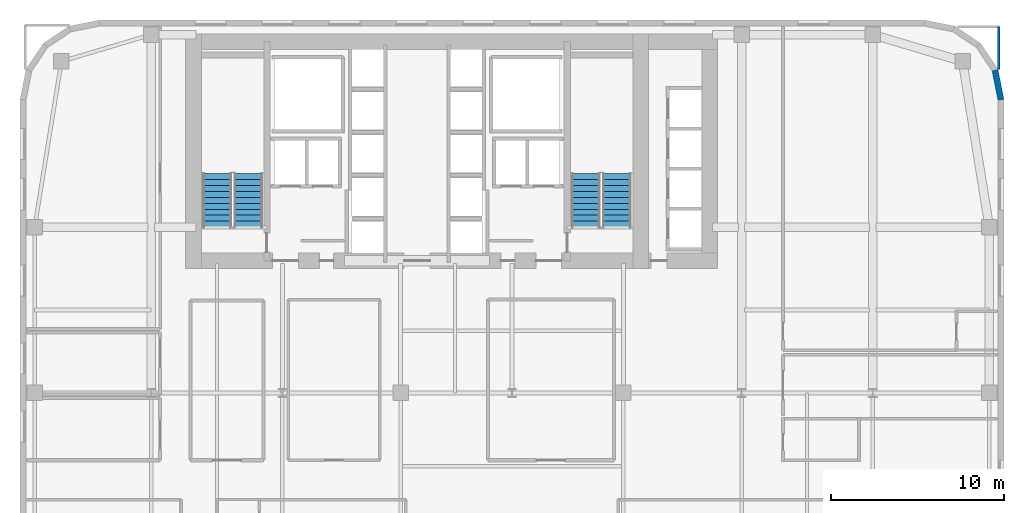
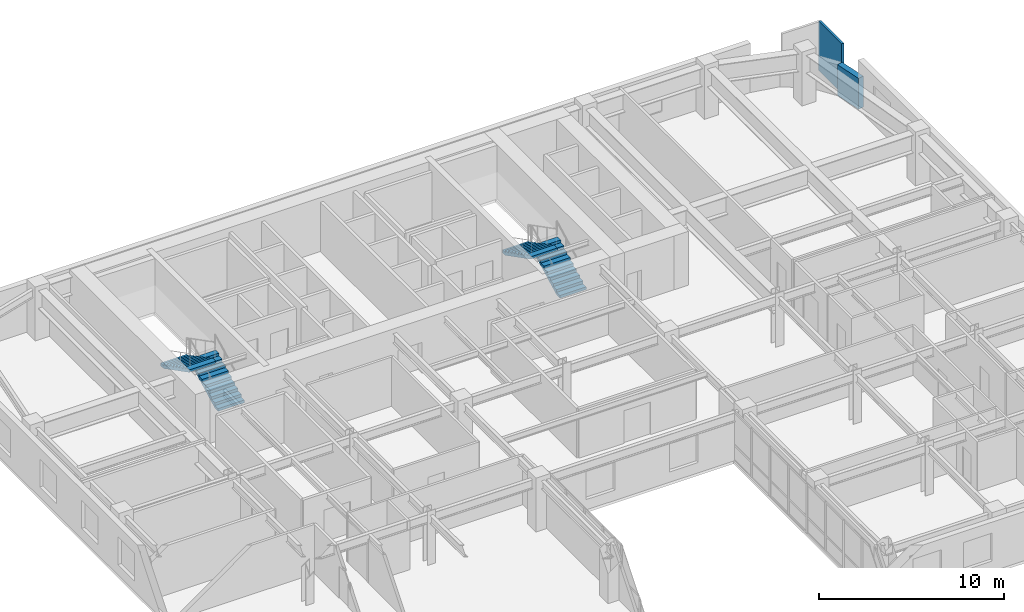
# One storey, part 15 of 16: 4 stair flights, 2 walls, 2 elements without a shape of their own.
"""IFC4 building model written with IfcOpenShell, lengths in metres."""

import ifcopenshell
import ifcopenshell.guid

model = None  # the IFC model being written
_history = None  # IfcOwnerHistory: only IFC2X3 demands one
_inside = {}  # id of a spatial element -> (the spatial element, [elements in it])
_under = {}  # id of a project, library or spatial element -> (it, [spatial elements below it])
_declared = {}  # id of a project -> (the project, [libraries it declares])
_typed = {}  # id of a type object -> (the type object, [elements of that type])
_made_of = {}  # id of a material, layer set ... -> (it, [elements and type objects made of it])


def new_model(schema):
    """Start an empty IFC model of exactly this schema.

    Asked for "IFC4X3", IfcOpenShell would pick the latest addendum, in which some entities
    have other attributes; the version numbers below select the first issue.
    IFC2X3 requires an IfcOwnerHistory on every rooted entity: one is made here for all.
    """
    global model, _history
    if schema == "IFC4X3":
        model = ifcopenshell.file(schema_version=(4, 3, 0, 0))
    else:
        model = ifcopenshell.file(schema=schema)
    _inside.clear()
    _under.clear()
    _declared.clear()
    _typed.clear()
    _made_of.clear()
    _history = None
    if model.schema == "IFC2X3":
        org = make("IfcOrganization", Name="unknown")
        user = make(
            "IfcPersonAndOrganization",
            ThePerson=make("IfcPerson", FamilyName="unknown"),
            TheOrganization=org,
        )
        app = make(
            "IfcApplication",
            ApplicationDeveloper=org,
            Version="unknown",
            ApplicationFullName="unknown",
            ApplicationIdentifier="unknown",
        )
        _history = make(
            "IfcOwnerHistory",
            OwningUser=user,
            OwningApplication=app,
            ChangeAction="ADDED",
            CreationDate=0,
        )
    return model


def make(cls, **values):
    """One entity of the class cls with the attributes given. An attribute that is None is left unset."""
    return model.create_entity(
        cls, **{name: value for name, value in values.items() if value is not None}
    )


def rooted(cls, **values):
    """An entity with a GlobalId (a new one), such as an element, a storey or a relation."""
    return make(cls, GlobalId=ifcopenshell.guid.new(), OwnerHistory=_history, **values)


def si_unit(unit_type, name, prefix=None):
    """IfcSIUnit, for example si_unit("LENGTHUNIT", "METRE", prefix="MILLI")."""
    return make("IfcSIUnit", UnitType=unit_type, Prefix=prefix, Name=name)


def assignment(units):
    """IfcUnitAssignment: the units of a project."""
    return None if units is None else make("IfcUnitAssignment", Units=units)


def point(xyz):
    """IfcCartesianPoint."""
    return None if xyz is None else make("IfcCartesianPoint", Coordinates=xyz)


def direction(xyz):
    """IfcDirection."""
    return None if xyz is None else make("IfcDirection", DirectionRatios=xyz)


def frame(location, z_axis=None, x_axis=None):
    """IfcAxis2Placement3D, a coordinate frame: its origin and axes. An axis left out is left unset."""
    return make(
        "IfcAxis2Placement3D",
        Location=point(location),
        Axis=direction(z_axis),
        RefDirection=direction(x_axis),
    )


def frame_2d(location, x_axis=None):
    """IfcAxis2Placement2D, a coordinate frame in the plane: its origin and x axis."""
    return make(
        "IfcAxis2Placement2D", Location=point(location), RefDirection=direction(x_axis)
    )


def origin():
    """The frame at (0, 0, 0) with its axes left unset."""
    return frame((0.0, 0.0, 0.0))


def place(relative_to, where):
    """IfcLocalPlacement: puts the frame where relative to a parent placement (None: the world)."""
    return make(
        "IfcLocalPlacement", PlacementRelTo=relative_to, RelativePlacement=where
    )


def context(
    kind, dimensions, precision=None, world=None, true_north=None, identifier=None
):
    """IfcGeometricRepresentationContext, for example the 3D "Model" context."""
    return make(
        "IfcGeometricRepresentationContext",
        ContextIdentifier=identifier,
        ContextType=kind,
        CoordinateSpaceDimension=dimensions,
        Precision=precision,
        WorldCoordinateSystem=world,
        TrueNorth=true_north,
    )


def subcontext(parent, identifier, kind, view, scale=None):
    """IfcGeometricRepresentationSubContext, for example "Body" below "Model"."""
    return make(
        "IfcGeometricRepresentationSubContext",
        ContextIdentifier=identifier,
        ContextType=kind,
        ParentContext=parent,
        TargetScale=scale,
        TargetView=view,
    )


def project(units=None, contexts=None):
    """IfcProject with its units and contexts."""
    return rooted(
        "IfcProject",
        Name="project",
        RepresentationContexts=contexts,
        UnitsInContext=assignment(units),
    )


def spatial(cls, under=None, at=None, **own):
    """A site, building, storey or space (cls), placed at a placement, below another one or the project."""
    s = rooted(cls, ObjectPlacement=at, **own)
    if under is not None:
        _under.setdefault(under.id(), (under, []))[1].append(s)
    return s


def polyline(points):
    """IfcPolyline through the points."""
    return make("IfcPolyline", Points=[point(p) for p in points])


def profile(cls, at=None, kind="AREA", **sizes):
    """A parametric profile (cls). Its sizes go by their IFC names, for example OverallWidth=200.0."""
    return make(cls, ProfileType=kind, Position=at, **sizes)


def rectangle(**sizes):
    """IfcRectangleProfileDef."""
    return profile("IfcRectangleProfileDef", **sizes)


def outline(outer, holes=None, kind="AREA"):
    """IfcArbitraryClosedProfileDef: a profile drawn as a closed curve; with holes, ...WithVoids."""
    if holes is None:
        return make("IfcArbitraryClosedProfileDef", ProfileType=kind, OuterCurve=outer)
    return make(
        "IfcArbitraryProfileDefWithVoids",
        ProfileType=kind,
        OuterCurve=outer,
        InnerCurves=holes,
    )


def extrude(swept, where, along, depth):
    """IfcExtrudedAreaSolid: the profile swept, set in the frame where, extruded along a direction by depth."""
    return make(
        "IfcExtrudedAreaSolid",
        SweptArea=swept,
        Position=where,
        ExtrudedDirection=direction(along),
        Depth=depth,
    )


def shape(context_of_items, identifier, shape_type, items):
    """IfcShapeRepresentation: the items that make up one representation, for example the "Body"."""
    return make(
        "IfcShapeRepresentation",
        ContextOfItems=context_of_items,
        RepresentationIdentifier=identifier,
        RepresentationType=shape_type,
        Items=items,
    )


def material(Name=None, Category=None):
    """IfcMaterial."""
    return make("IfcMaterial", Name=Name, Category=Category)


def layer(
    of_material, thickness, ventilated=None, Name=None, Category=None, Priority=None
):
    """IfcMaterialLayer: one layer of a wall or slab, of a material (None: an air gap)."""
    return make(
        "IfcMaterialLayer",
        Material=of_material,
        LayerThickness=thickness,
        IsVentilated=ventilated,
        Name=Name,
        Category=Category,
        Priority=Priority,
    )


def layer_set(layers, Name=None):
    """IfcMaterialLayerSet."""
    return make("IfcMaterialLayerSet", MaterialLayers=layers, LayerSetName=Name)


def made_of(thing, what):
    """Note that an element or type object is made of a material, layer set ...; save() writes the relation."""
    if what is not None:
        _made_of.setdefault(what.id(), (what, []))[1].append(thing)
    return thing


def type_object(cls, material=None, **own):
    """A type object (cls), such as IfcWallType, which elements share."""
    return made_of(rooted(cls, **own), material)


def element(
    cls,
    number,
    at=None,
    inside=None,
    cuts=None,
    type_object=None,
    material=None,
    context=None,
    identifier="Body",
    shape_type=None,
    held_by="IfcProductDefinitionShape",
    body=None,
    shapes=None,
    **own,
):
    """One element of the class cls, such as IfcWall. Its Tag is "e" and its number.

    at: its placement. inside: the storey or other place that contains it. cuts: it is an
    opening in that element (IfcRelVoidsElement). A single representation is given by context,
    identifier, shape_type and body (its items); several are given by shapes. held_by: the class
    of the entity that holds the representations. save() writes the other relations.
    """
    e = rooted(cls, Tag="e%d" % number, ObjectPlacement=at, **own)
    if body is not None:
        shapes = [shape(context, identifier, shape_type, body)]
    if shapes is not None:
        e.Representation = make(held_by, Representations=shapes)
    if inside is not None:
        _inside.setdefault(inside.id(), (inside, []))[1].append(e)
    if cuts is not None:
        rooted(
            "IfcRelVoidsElement", RelatingBuildingElement=cuts, RelatedOpeningElement=e
        )
    if type_object is not None:
        _typed.setdefault(type_object.id(), (type_object, []))[1].append(e)
    return made_of(e, material)


def aggregate(whole, parts):
    """IfcRelAggregates: a whole, such as a stair, and the parts it consists of."""
    return rooted("IfcRelAggregates", RelatingObject=whole, RelatedObjects=parts)


def save(model, path):
    """Write the relations noted so far, then the file.

    IfcRelAggregates (storeys below a building ...), IfcRelContainedInSpatialStructure (elements
    in a storey), IfcRelDefinesByType, IfcRelAssociatesMaterial and IfcRelDeclares: one each for
    every whole, place, type object, material and project.
    """
    for whole, parts in _under.values():
        aggregate(whole, parts)
    for where, things in _inside.values():
        rooted(
            "IfcRelContainedInSpatialStructure",
            RelatedElements=things,
            RelatingStructure=where,
        )
    for kind, things in _typed.values():
        rooted("IfcRelDefinesByType", RelatedObjects=things, RelatingType=kind)
    for what, things in _made_of.values():
        rooted("IfcRelAssociatesMaterial", RelatedObjects=things, RelatingMaterial=what)
    for by, libraries in _declared.values():
        rooted("IfcRelDeclares", RelatingContext=by, RelatedDefinitions=libraries)
    model.write(path)


model = new_model("IFC4")

# Units and contexts
model_context = context("Model", 3, precision=1e-05, world=origin(), true_north=direction((0.0, 1.0)))
body_context = subcontext(model_context, "Body", "Model", "MODEL_VIEW")
ifc_project = project(units=[si_unit("LENGTHUNIT", "METRE"), si_unit("AREAUNIT", "SQUARE_METRE"), si_unit("VOLUMEUNIT", "CUBIC_METRE"), si_unit("PLANEANGLEUNIT", "RADIAN"), si_unit("MASSUNIT", "GRAM", prefix="KILO")], contexts=[model_context])

# Site, building, storey
site_placement = place(None, origin())
site = spatial("IfcSite", under=ifc_project, at=site_placement, CompositionType="ELEMENT")
building_placement = place(site_placement, origin())
building = spatial("IfcBuilding", under=site, at=building_placement, Name="Tolvann Quenvar Hotel", CompositionType="ELEMENT")
storey_placement = place(building_placement, frame((0.0, 0.0, 92.35009765625)))
storey = spatial("IfcBuildingStorey", under=building, at=storey_placement, Name="L23", CompositionType="ELEMENT", Elevation=92.35009765625)

# Walls
ifc_material_1 = material(Name="Kiln-fired red and buff architectural clay brickwork and terracotta masonry", Category="masonry")
ifc_layer_1 = layer(ifc_material_1, 0.35009765625)
ifc_layer_set_1 = layer_set([ifc_layer_1], Name="Kiln-fired red and buff architectural clay brickwork and terracotta masonry")
wall_type_1 = type_object("IfcWallType", Name="WALL_EXT_BRICK_350", PredefinedType="SOLIDWALL", material=ifc_layer_set_1)
wall_1_placement = place(storey_placement, frame((56.824951171875, 41.3828125, 0.0), z_axis=(0.0, 0.0, 1.0), x_axis=(-0.195011420161, 0.980800971659, 0.0)))
element("IfcWall", 1, at=wall_1_placement, inside=storey, type_object=wall_type_1, Name="Exterior Chicago Brick Wall L23-E14", PredefinedType="SOLIDWALL", context=body_context, shape_type="SweptSolid", body=[
    extrude(rectangle(XDim=1.74267578125, YDim=0.35009765625, at=frame_2d((0.871337890625, 0.0))), origin(), (0.0, 0.0, 1.0), 2.039794921875),
])
ifc_material_2 = material(Name="Acoustic twin-stud fire-rated gypsum plasterboard partition")
ifc_layer_2 = layer(ifc_material_2, 0.14990234375)
ifc_layer_set_2 = layer_set([ifc_layer_2], Name="Acoustic twin-stud fire-rated gypsum plasterboard partition")
wall_type_2 = type_object("IfcWallType", Name="WALL_PART_SUITE_150", PredefinedType="PARTITIONING", material=ifc_layer_set_2)
wall_2_placement = place(storey_placement, frame((56.699951171875, 43.135009765625, 0.0), z_axis=(0.0, 0.0, 1.0), x_axis=(0.0, 1.0, 0.0)))
element("IfcWall", 2, at=wall_2_placement, inside=storey, type_object=wall_type_2, Name="Interior Partition PT-SPC-L23-RM-NE01-E4", PredefinedType="PARTITIONING", context=body_context, shape_type="SweptSolid", body=[
    extrude(rectangle(XDim=2.485107421875, YDim=0.14990234375, at=frame_2d((1.24267578125, 0.0))), origin(), (0.0, 0.0, 1.0), 3.25),
])

# Stair, stair flights
ifc_material_3 = material(Name="Concrete N40 (40 MPa)", Category="concrete")
stair_type = type_object("IfcStairType", Name="STAIR", PredefinedType="HALF_TURN_STAIR", material=ifc_material_3)
stair_1_placement = place(storey_placement, origin())
stair_1 = element("IfcStair", 3, at=stair_1_placement, inside=storey, type_object=stair_type, Name="L23 ST-C1", PredefinedType="HALF_TURN_STAIR")
stair_flight_type = type_object("IfcStairFlightType", Name="STAIR_FLIGHT", PredefinedType="STRAIGHT", material=ifc_material_3)
stair_flight_1_placement = place(storey_placement, frame((13.22509765625, 34.0, 0.0), z_axis=(0.0, 0.0, 1.0), x_axis=(0.0, 1.0, 0.0)))
stair_flight_1 = element("IfcStairFlight", 4, at=stair_flight_1_placement, type_object=stair_flight_type, Name="ST-C1 flight 1", NumberOfRisers=10, NumberOfTreads=9, PredefinedType="STRAIGHT", RiserHeight=0.1775, TreadLength=0.345, context=body_context, shape_type="SweptSolid", body=[
    extrude(outline(polyline([(0.0, 0.0), (0.0, 0.177490234375), (0.344970703125, 0.177490234375), (0.344970703125, 0.35498046875), (0.68994140625, 0.35498046875), (0.68994140625, 0.532470703125), (1.034912109375, 0.532470703125), (1.034912109375, 0.7099609375), (1.3798828125, 0.7099609375), (1.3798828125, 0.887451171875), (1.72509765625, 0.887451171875), (1.72509765625, 1.06494140625), (2.070068359375, 1.06494140625), (2.070068359375, 1.242431640625), (2.4150390625, 1.242431640625), (2.4150390625, 1.419921875), (2.760009765625, 1.419921875), (2.760009765625, 1.597412109375), (3.10498046875, 1.597412109375), (3.10498046875, 1.77490234375), (3.10498046875, 1.428955078125), (0.32763671875, 0.0), (0.0, 0.0)])), frame((0.0, 0.824951171875, 0.0), z_axis=(0.0, -1.0, 0.0), x_axis=(1.0, 0.0, 0.0)), (0.0, 0.0, 1.0), 1.64990234375),
])
stair_flight_2_placement = place(storey_placement, frame((11.425048828125, 37.10498046875, 1.77490234375), z_axis=(0.0, 0.0, 1.0), x_axis=(0.0, -1.0, 0.0)))
stair_flight_2 = element("IfcStairFlight", 5, at=stair_flight_2_placement, type_object=stair_flight_type, Name="ST-C1 flight 2", NumberOfRisers=10, NumberOfTreads=9, PredefinedType="STRAIGHT", RiserHeight=0.1775, TreadLength=0.345, context=body_context, shape_type="SweptSolid", body=[
    extrude(outline(polyline([(0.0, 0.0), (0.0, 0.177490234375), (0.344970703125, 0.177490234375), (0.344970703125, 0.35498046875), (0.68994140625, 0.35498046875), (0.68994140625, 0.532470703125), (1.034912109375, 0.532470703125), (1.034912109375, 0.7099609375), (1.3798828125, 0.7099609375), (1.3798828125, 0.887451171875), (1.72509765625, 0.887451171875), (1.72509765625, 1.06494140625), (2.070068359375, 1.06494140625), (2.070068359375, 1.242431640625), (2.4150390625, 1.242431640625), (2.4150390625, 1.419921875), (2.760009765625, 1.419921875), (2.760009765625, 1.597412109375), (3.10498046875, 1.597412109375), (3.10498046875, 1.77490234375), (3.10498046875, 1.428955078125), (0.32763671875, 0.0), (0.0, 0.0)])), frame((0.0, 0.824951171875, 0.0), z_axis=(0.0, -1.0, 0.0), x_axis=(1.0, 0.0, 0.0)), (0.0, 0.0, 1.0), 1.64990234375),
])
aggregate(stair_1, [stair_flight_1, stair_flight_2])

stair_2_placement = place(storey_placement, origin())
stair_2 = element("IfcStair", 6, at=stair_2_placement, inside=storey, type_object=stair_type, Name="L23 ST-C2", PredefinedType="HALF_TURN_STAIR")
stair_flight_3_placement = place(storey_placement, frame((34.574951171875, 34.0, 0.0), z_axis=(0.0, 0.0, 1.0), x_axis=(0.0, 1.0, 0.0)))
stair_flight_3 = element("IfcStairFlight", 7, at=stair_flight_3_placement, type_object=stair_flight_type, Name="ST-C2 flight 1", NumberOfRisers=10, NumberOfTreads=9, PredefinedType="STRAIGHT", RiserHeight=0.1775, TreadLength=0.345, context=body_context, shape_type="SweptSolid", body=[
    extrude(outline(polyline([(0.0, 0.0), (0.0, 0.177490234375), (0.344970703125, 0.177490234375), (0.344970703125, 0.35498046875), (0.68994140625, 0.35498046875), (0.68994140625, 0.532470703125), (1.034912109375, 0.532470703125), (1.034912109375, 0.7099609375), (1.3798828125, 0.7099609375), (1.3798828125, 0.887451171875), (1.72509765625, 0.887451171875), (1.72509765625, 1.06494140625), (2.070068359375, 1.06494140625), (2.070068359375, 1.242431640625), (2.4150390625, 1.242431640625), (2.4150390625, 1.419921875), (2.760009765625, 1.419921875), (2.760009765625, 1.597412109375), (3.10498046875, 1.597412109375), (3.10498046875, 1.77490234375), (3.10498046875, 1.428955078125), (0.32763671875, 0.0), (0.0, 0.0)])), frame((0.0, 0.824951171875, 0.0), z_axis=(0.0, -1.0, 0.0), x_axis=(1.0, 0.0, 0.0)), (0.0, 0.0, 1.0), 1.64990234375),
])
stair_flight_4_placement = place(storey_placement, frame((32.77490234375, 37.10498046875, 1.77490234375), z_axis=(0.0, 0.0, 1.0), x_axis=(0.0, -1.0, 0.0)))
stair_flight_4 = element("IfcStairFlight", 8, at=stair_flight_4_placement, type_object=stair_flight_type, Name="ST-C2 flight 2", NumberOfRisers=10, NumberOfTreads=9, PredefinedType="STRAIGHT", RiserHeight=0.1775, TreadLength=0.345, context=body_context, shape_type="SweptSolid", body=[
    extrude(outline(polyline([(0.0, 0.0), (0.0, 0.177490234375), (0.344970703125, 0.177490234375), (0.344970703125, 0.35498046875), (0.68994140625, 0.35498046875), (0.68994140625, 0.532470703125), (1.034912109375, 0.532470703125), (1.034912109375, 0.7099609375), (1.3798828125, 0.7099609375), (1.3798828125, 0.887451171875), (1.72509765625, 0.887451171875), (1.72509765625, 1.06494140625), (2.070068359375, 1.06494140625), (2.070068359375, 1.242431640625), (2.4150390625, 1.242431640625), (2.4150390625, 1.419921875), (2.760009765625, 1.419921875), (2.760009765625, 1.597412109375), (3.10498046875, 1.597412109375), (3.10498046875, 1.77490234375), (3.10498046875, 1.428955078125), (0.32763671875, 0.0), (0.0, 0.0)])), frame((0.0, 0.824951171875, 0.0), z_axis=(0.0, -1.0, 0.0), x_axis=(1.0, 0.0, 0.0)), (0.0, 0.0, 1.0), 1.64990234375),
])
aggregate(stair_2, [stair_flight_3, stair_flight_4])

save(model, "model.ifc")
